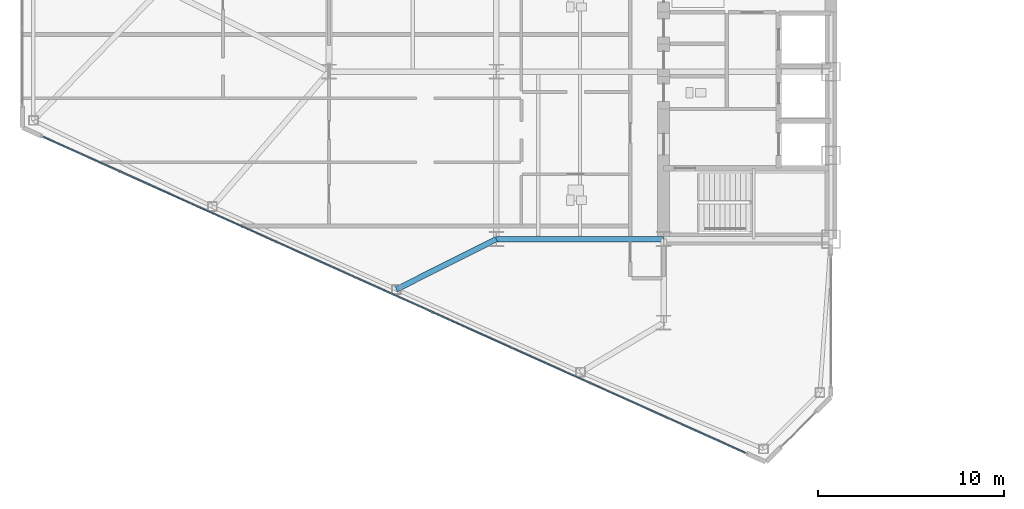
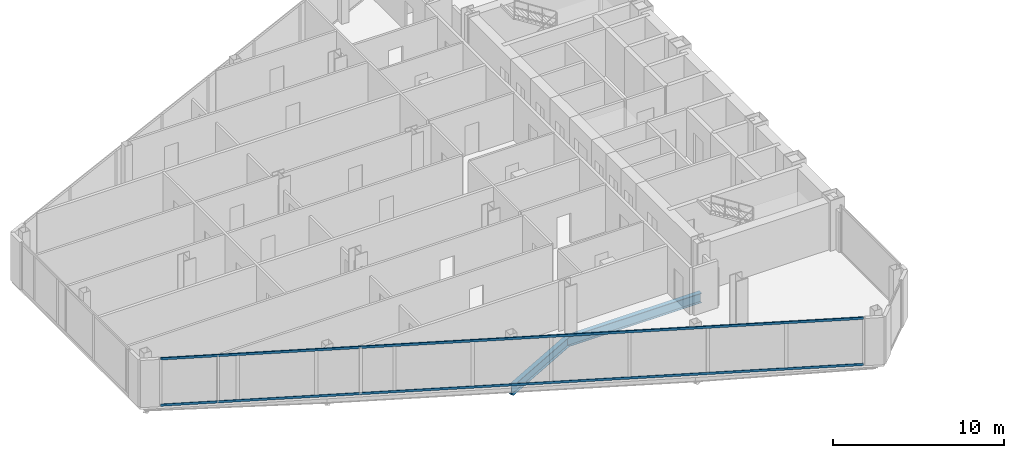
# One storey, part 4 of 27: 2 beams, 2 members, 1 element without a shape of its own.
"""IFC4 building model written with IfcOpenShell, lengths in metres."""

from ifc_helpers import new_model, si_unit, direction, frame, origin, origin_2d, place, context, subcontext, project, spatial, rectangle, i_section, extrude, source, transform, mapped, material, layer, layer_set, material_profile, profile_set, type_object, type_shapes, element, aggregate, save


model = new_model("IFC4")

# Units and contexts
model_context = context("Model", 3, precision=1e-05, world=origin(), true_north=direction((0.0, 1.0)))
body_context = subcontext(model_context, "Body", "Model", "MODEL_VIEW")
ifc_project = project(units=[si_unit("LENGTHUNIT", "METRE"), si_unit("AREAUNIT", "SQUARE_METRE"), si_unit("VOLUMEUNIT", "CUBIC_METRE"), si_unit("PLANEANGLEUNIT", "RADIAN"), si_unit("MASSUNIT", "GRAM", prefix="KILO")], contexts=[model_context])

# Site, building, storey
site_placement = place(None, origin())
site = spatial("IfcSite", under=ifc_project, at=site_placement, CompositionType="ELEMENT")
building_placement = place(site_placement, origin())
building = spatial("IfcBuilding", under=site, at=building_placement, Name="Seokmaru Belvedere", CompositionType="ELEMENT")
storey_placement = place(building_placement, frame((0.0, 0.0, 99.60009765625)))
storey = spatial("IfcBuildingStorey", under=building, at=storey_placement, Name="L26", CompositionType="ELEMENT", Elevation=99.60009765625)

# Beams
ifc_material_1 = material(Name="Steel SM355 (355 MPa)", Category="steel")
ifc_material_profile_1 = material_profile(ifc_material_1, i_section(OverallWidth=0.300048828125, OverallDepth=0.699951171875, WebThickness=0.012939453125, FlangeThickness=0.02392578125, at=origin_2d()), Name="H-700x300x13x24")
ifc_profile_set_1 = profile_set([ifc_material_profile_1], Name="Steel SM355 (355 MPa)")
beam_type = type_object("IfcBeamType", Name="Primary Floor Girder H-700", PredefinedType="BEAM", material=ifc_profile_set_1)
shared_shape_1 = source(origin(), body_context, "Body", "SweptSolid", [
    extrude(i_section(OverallWidth=0.300048828125, OverallDepth=0.699951171875, WebThickness=0.012939453125, FlangeThickness=0.02392578125, at=origin_2d()), origin(), (0.0, 0.0, 1.0), 9.0),
])
beam_1_placement = place(storey_placement, frame((-45.5, -13.5, -0.570068359375), z_axis=(1.0, 0.0, 0.0), x_axis=(0.0, 1.0, 0.0)))
element("IfcBeam", 1, at=beam_1_placement, inside=storey, type_object=beam_type, Name="L26 W Wing Primary Girder 1", PredefinedType="BEAM", context=body_context, shape_type="MappedRepresentation", body=[
    mapped(shared_shape_1, transform((0.0, 0.0, 0.0), scale=1.0)),
])
shared_shape_2 = source(origin(), body_context, "Body", "SweptSolid", [
    extrude(i_section(OverallWidth=0.300048828125, OverallDepth=0.699951171875, WebThickness=0.012939453125, FlangeThickness=0.02392578125, at=origin_2d()), origin(), (0.0, 0.0, 1.0), 6.017333984375),
])
type_shapes(beam_type, [shared_shape_1, shared_shape_2])
beam_2_placement = place(storey_placement, frame((-50.875, -16.205322265625, -0.570068359375), z_axis=(0.893239341975, 0.449581447512, 0.0), x_axis=(-0.449581447512, 0.893239341975, 0.0)))
element("IfcBeam", 2, at=beam_2_placement, inside=storey, type_object=beam_type, Name="L26 W Flank Radial Floor Girder S-2", PredefinedType="BEAM", context=body_context, shape_type="MappedRepresentation", body=[
    mapped(shared_shape_2, transform((0.0, 0.0, 0.0), scale=1.0)),
])

# Curtain wall, members
ifc_material_2 = material(Name="Bronze Triple Insulating Glass", Category="glass")
ifc_layer = layer(ifc_material_2, 0.195068359375)
ifc_layer_set = layer_set([ifc_layer], Name="Bronze Triple Insulating Glass")
curtain_wall_type = type_object("IfcCurtainWallType", Name="Lower-Mid Tapered Curtain Wall System CW-3", PredefinedType="NOTDEFINED", material=ifc_layer_set)
curtain_wall_placement = place(storey_placement, origin())
curtain_wall = element("IfcCurtainWall", 3, at=curtain_wall_placement, inside=storey, type_object=curtain_wall_type, Name="L26 Curtain Wall WF5", PredefinedType="NOTDEFINED")
ifc_material_3 = material(Name="Anodised Bronze Aluminium", Category="aluminium")
ifc_material_profile_2 = material_profile(ifc_material_3, rectangle(XDim=0.070068359375, YDim=0.1650390625, at=origin_2d()), Name="CW-T-70x165")
ifc_profile_set_2 = profile_set([ifc_material_profile_2], Name="Anodised Bronze Aluminium")
member_type = type_object("IfcMemberType", Name="Bronze Unitised Transom 70x165", PredefinedType="USERDEFINED", material=ifc_profile_set_2)
shared_shape_3 = source(origin(), body_context, "Body", "SweptSolid", [
    extrude(rectangle(XDim=0.070068359375, YDim=0.1650390625, at=origin_2d()), origin(), (0.0, 0.0, 1.0), 41.423583984375),
])
type_shapes(member_type, [shared_shape_3])
member_1_placement = place(storey_placement, frame((-69.887451171875, -8.00048828125, 0.034912109375), z_axis=(0.911918637916, -0.410371048956, 0.0), x_axis=(0.410371048956, 0.911918637916, 0.0)))
member_1 = element("IfcMember", 4, at=member_1_placement, type_object=member_type, Name="CW:L26:WF5 Continuous Transom 1", ObjectType="TRANSOM", PredefinedType="USERDEFINED", context=body_context, shape_type="MappedRepresentation", body=[
    mapped(shared_shape_3, transform((0.0, 0.0, 0.0), scale=1.0)),
])
member_2_placement = place(storey_placement, frame((-69.887451171875, -8.00048828125, 3.344970703125), z_axis=(0.911918637916, -0.410371048956, 0.0), x_axis=(0.410371048956, 0.911918637916, 0.0)))
member_2 = element("IfcMember", 5, at=member_2_placement, type_object=member_type, Name="CW:L26:WF5 Continuous Transom 2", ObjectType="TRANSOM", PredefinedType="USERDEFINED", context=body_context, shape_type="MappedRepresentation", body=[
    mapped(shared_shape_3, transform((0.0, 0.0, 0.0), scale=1.0)),
])
aggregate(curtain_wall, [member_1, member_2])

save(model, "model.ifc")
